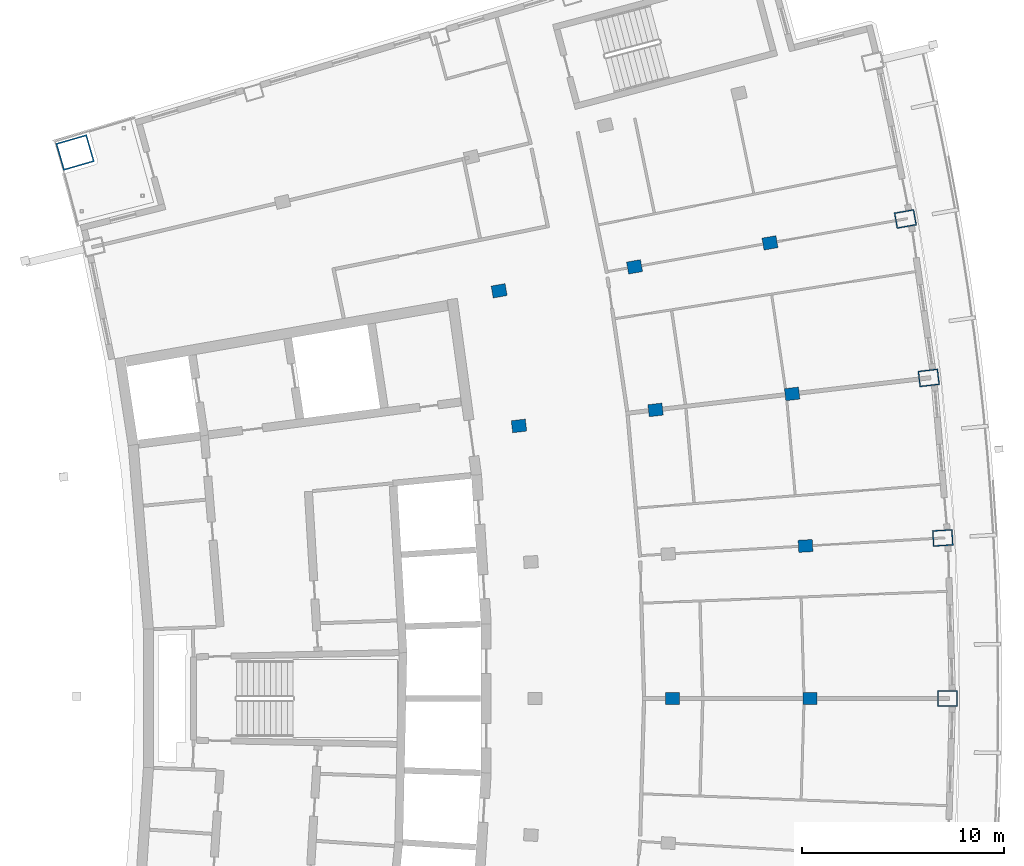
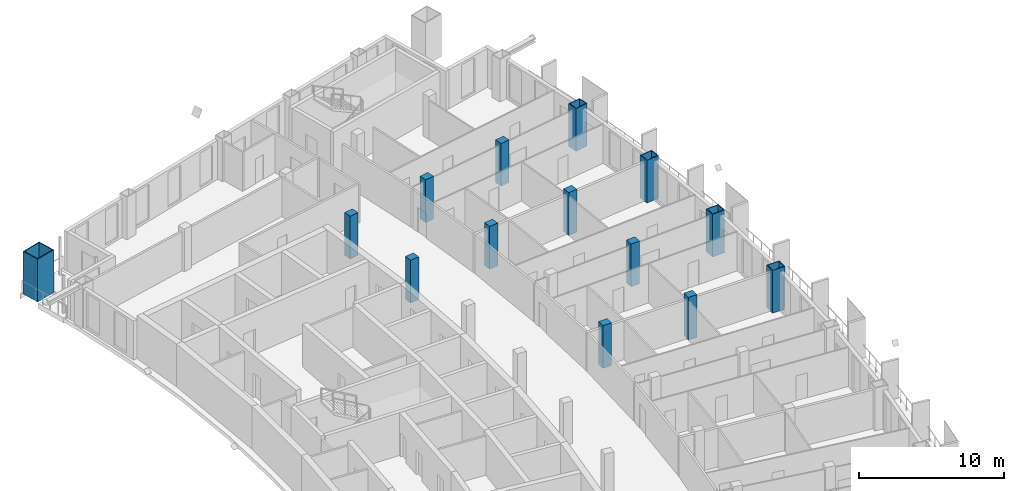
# One storey, part 4 of 17: 14 columns.
"""IFC4 building model written with IfcOpenShell, lengths in metres."""

from ifc_helpers import new_model, si_unit, direction, frame, origin, origin_2d, place, context, subcontext, project, spatial, rectangle, hollow_rectangle, extrude, material, material_profile, profile_set, type_object, element, save


model = new_model("IFC4")

# Units and contexts
model_context = context("Model", 3, precision=1e-05, world=origin(), true_north=direction((0.0, 1.0)))
body_context = subcontext(model_context, "Body", "Model", "MODEL_VIEW")
ifc_project = project(units=[si_unit("LENGTHUNIT", "METRE"), si_unit("AREAUNIT", "SQUARE_METRE"), si_unit("VOLUMEUNIT", "CUBIC_METRE"), si_unit("PLANEANGLEUNIT", "RADIAN"), si_unit("MASSUNIT", "GRAM", prefix="KILO")], contexts=[model_context])

# Site, building, storey
site_placement = place(None, origin())
site = spatial("IfcSite", under=ifc_project, at=site_placement, CompositionType="ELEMENT")
building_placement = place(site_placement, origin())
building = spatial("IfcBuilding", under=site, at=building_placement, Name="Alderwake Tower", CompositionType="ELEMENT")
storey_placement = place(building_placement, frame((0.0, 0.0, 274.39990234375)))
storey = spatial("IfcBuildingStorey", under=building, at=storey_placement, Name="L68", CompositionType="ELEMENT", Elevation=274.39990234375)

# Columns
ifc_material_1 = material(Name="Concrete C70/85", Category="concrete")
ifc_material_profile_1 = material_profile(ifc_material_1, rectangle(XDim=0.60009765625, YDim=0.699951171875, at=origin_2d()), Name="RC 700X600")
ifc_profile_set_1 = profile_set([ifc_material_profile_1], Name="Concrete C70/85")
column_type_1 = type_object("IfcColumnType", Name="Interior column Z5", PredefinedType="COLUMN", material=ifc_profile_set_1)
for number, where, z_axis, x_axis, name in (
    (1, (42.60009765625, 61.0, 0.0), (0.0, 0.0, 1.0), (0.0, 1.0, 0.0), "Column R07-C3"),
    (2, (49.39990234375, 61.0, 0.0), (0.0, 0.0, 1.0), (0.0, 1.0, 0.0), "Column R07-C4"),
    (3, (49.179931640625, 68.544189453125, 0.0), (0.0, 0.0, 1.0), (-0.058301061284, 0.998299046505, 0.0), "Column R08-C4"),
    (4, (35.0126953125, 74.4794921875, 0.0), (0.0, 0.0, 1.0), (-0.116402054316, 0.993202175668, 0.0), "Column R09-C2"),
    (5, (41.7666015625, 75.27099609375, 0.0), (0.0, 0.0, 1.0), (-0.116402054316, 0.993202175668, 0.0), "Column R09-C3"),
    (6, (48.5205078125, 76.0625, 0.0), (0.0, 0.0, 1.0), (-0.116402054316, 0.993202175668, 0.0), "Column R09-C4"),
    (7, (34.03125, 81.16162109375, 0.0), (0.0, 0.0, 1.0), (-0.174108800747, 0.984726421654, 0.0), "Column R10-C2"),
    (8, (40.7275390625, 82.345703125, 0.0), (0.0, 0.0, 1.0), (-0.174108800747, 0.984726421654, 0.0), "Column R10-C3"),
    (9, (47.423583984375, 83.529541015625, 0.0), (0.0, 0.0, 1.0), (-0.174108800747, 0.984726421654, 0.0), "Column R10-C4"),
):
    element("IfcColumn", number, at=place(storey_placement, frame(where, z_axis=z_axis, x_axis=x_axis)), inside=storey, type_object=column_type_1, Name=name, PredefinedType="COLUMN", context=body_context, shape_type="SweptSolid", body=[
        extrude(rectangle(XDim=0.60009765625, YDim=0.699951171875, at=origin_2d()), origin(), (0.0, 0.0, 1.0), 3.60009765625),
    ])
ifc_material_2 = material(Name="Steel ASTM A572 Grade 50 concrete filled C70/85", Category="concrete")
ifc_material_profile_2 = material_profile(ifc_material_2, hollow_rectangle(XDim=1.39990234375, YDim=1.60009765625, WallThickness=0.070068359375, at=origin_2d()), Name="BOX 1600X1400X70")
ifc_profile_set_2 = profile_set([ifc_material_profile_2], Name="Steel ASTM A572 Grade 50 concrete filled C70/85")
column_type_2 = type_object("IfcColumnType", Name="Mega column Z5", PredefinedType="COLUMN", material=ifc_profile_set_2)
column_placement = place(storey_placement, frame((13.06298828125, 87.99755859375, 0.0), z_axis=(0.0, 0.0, 1.0), x_axis=(-0.278612301868, 0.960403657452, 0.0)))
element("IfcColumn", 10, at=column_placement, inside=storey, type_object=column_type_2, Name="Column R12-C0", PredefinedType="COLUMN", context=body_context, shape_type="SweptSolid", body=[
    extrude(hollow_rectangle(XDim=1.39990234375, YDim=1.60009765625, WallThickness=0.070068359375, at=origin_2d()), origin(), (0.0, 0.0, 1.0), 3.60009765625),
])
ifc_material_3 = material(Name="Steel ASTM A572 Grade 50 concrete filled C70/85", Category="concrete")
ifc_material_profile_3 = material_profile(ifc_material_3, hollow_rectangle(XDim=0.800048828125, YDim=1.0, WallThickness=0.054931640625, at=origin_2d()), Name="BOX 1000X800X55")
ifc_profile_set_3 = profile_set([ifc_material_profile_3], Name="Steel ASTM A572 Grade 50 concrete filled C70/85")
column_type_3 = type_object("IfcColumnType", Name="Perimeter column Z5", PredefinedType="COLUMN", material=ifc_profile_set_3)
for number, where, z_axis, x_axis, name in (
    (11, (56.199951171875, 61.0, 0.0), (0.0, 0.0, 1.0), (0.0, 1.0, 0.0), "Column R07-C5"),
    (12, (55.96826171875, 68.9404296875, 0.0), (0.0, 0.0, 1.0), (-0.058301061284, 0.998299046505, 0.0), "Column R08-C5"),
    (13, (55.274169921875, 76.85400390625, 0.0), (0.0, 0.0, 1.0), (-0.116402054316, 0.993202175668, 0.0), "Column R09-C5"),
    (14, (54.119873046875, 84.71337890625, 0.0), (0.0, 0.0, 1.0), (-0.174107082075, 0.984726725529, 0.0), "Column R10-C5"),
):
    element("IfcColumn", number, at=place(storey_placement, frame(where, z_axis=z_axis, x_axis=x_axis)), inside=storey, type_object=column_type_3, Name=name, PredefinedType="COLUMN", context=body_context, shape_type="SweptSolid", body=[
        extrude(hollow_rectangle(XDim=0.800048828125, YDim=1.0, WallThickness=0.054931640625, at=origin_2d()), origin(), (0.0, 0.0, 1.0), 3.60009765625),
    ])

save(model, "model.ifc")
